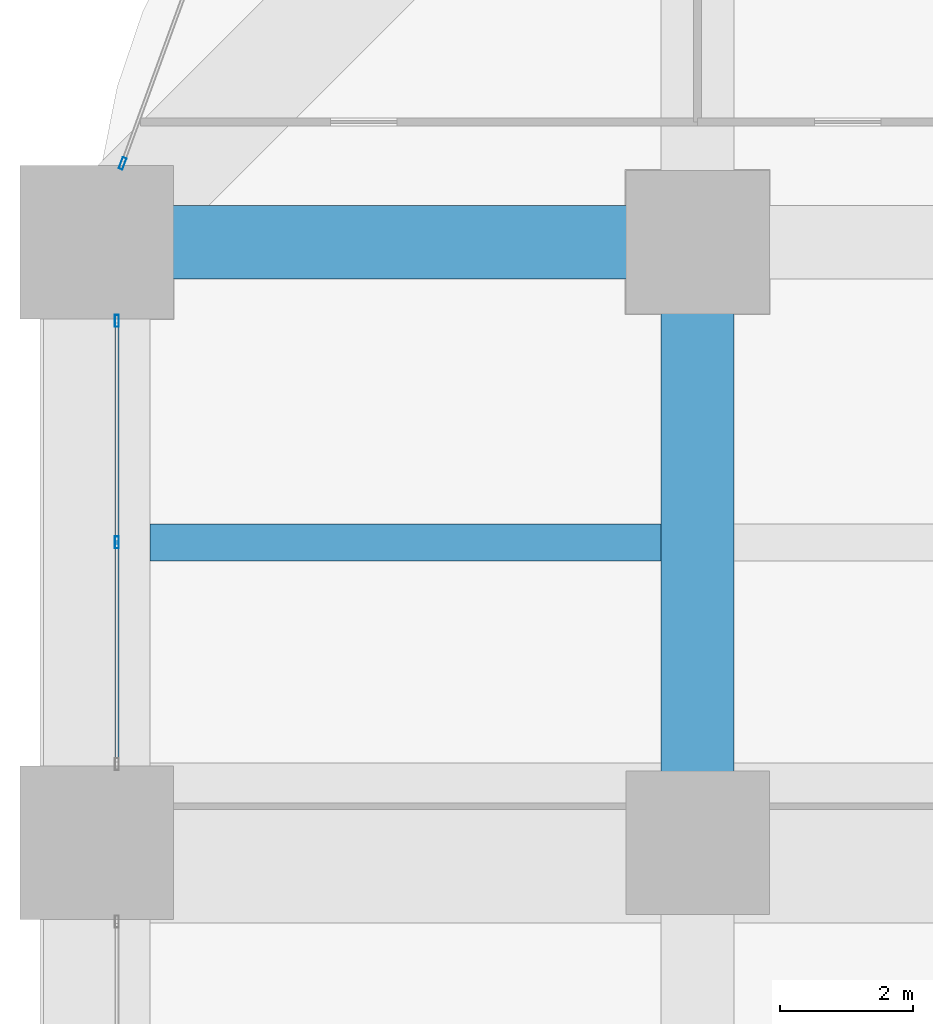
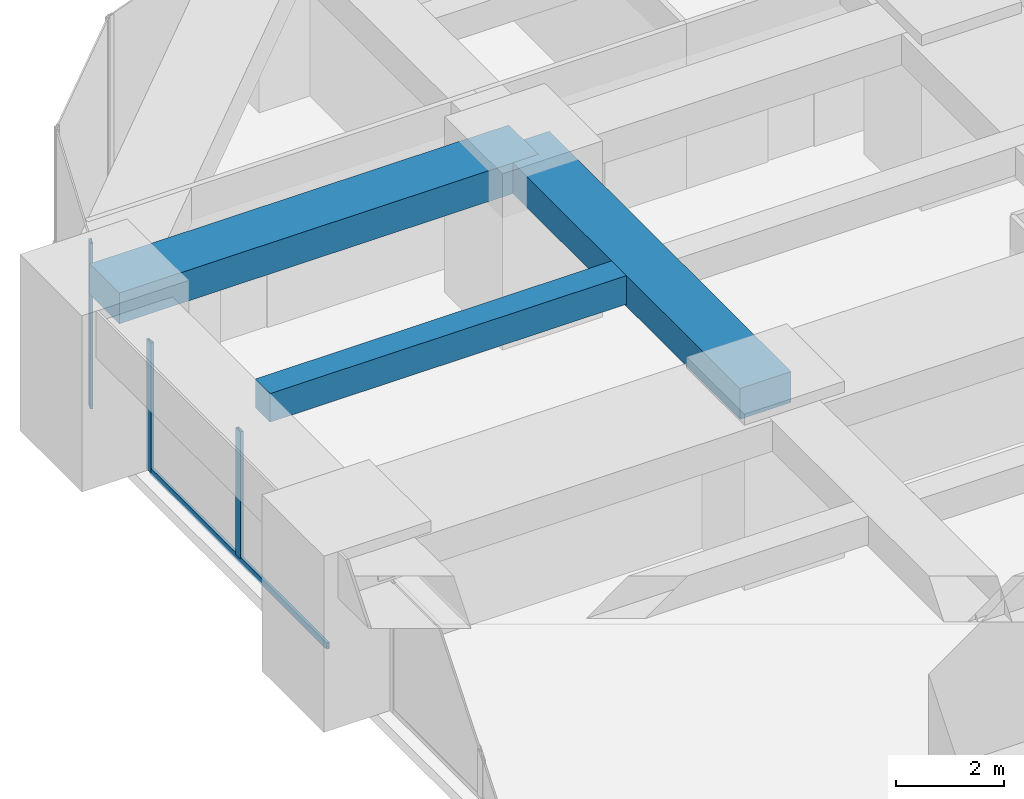
# One storey, part 25 of 43: 4 members, 3 beams, 2 elements without a shape of their own.
"""IFC4 building model written with IfcOpenShell, lengths in metres."""

from ifc_helpers import new_model, si_unit, direction, frame, origin, origin_2d, place, context, subcontext, project, spatial, rectangle, hollow_rectangle, extrude, material, material_profile, profile_set, type_object, element, aggregate, save


model = new_model("IFC4")

# Units and contexts
model_context = context("Model", 3, precision=1e-05, world=origin(), true_north=direction((0.0, 1.0)))
body_context = subcontext(model_context, "Body", "Model", "MODEL_VIEW")
ifc_project = project(units=[si_unit("LENGTHUNIT", "METRE"), si_unit("AREAUNIT", "SQUARE_METRE"), si_unit("VOLUMEUNIT", "CUBIC_METRE"), si_unit("PLANEANGLEUNIT", "RADIAN"), si_unit("MASSUNIT", "GRAM", prefix="KILO")], contexts=[model_context])

# Site, building, storey
site_placement = place(None, origin())
site = spatial("IfcSite", under=ifc_project, at=site_placement, CompositionType="ELEMENT")
building_placement = place(site_placement, origin())
building = spatial("IfcBuilding", under=site, at=building_placement, Name="Zorevar Civic Tower", CompositionType="ELEMENT")
storey_placement = place(building_placement, frame((0.0, 0.0, 67.800048828125)))
storey = spatial("IfcBuildingStorey", under=building, at=storey_placement, Name="L16", CompositionType="ELEMENT", Elevation=67.800048828125)

# Beams
ifc_material_1 = material(Name="Concrete C50/60", Category="concrete")
ifc_material_profile_1 = material_profile(ifc_material_1, rectangle(XDim=1.10009765625, YDim=0.699951171875, at=origin_2d()), Name="RC 1100x700")
ifc_profile_set_1 = profile_set([ifc_material_profile_1], Name="Concrete C50/60")
beam_type_1 = type_object("IfcBeamType", Name="Beam RC 1100x700", PredefinedType="BEAM", material=ifc_profile_set_1)
for number, where, z_axis, x_axis, name in (
    (1, (0.0, 45.0, 3.39990234375), (1.0, 0.0, 0.0), (0.0, 1.0, 0.0), "Girder L17"),
    (2, (9.0, 36.0, 3.39990234375), (0.0, 1.0, 0.0), (-1.0, 0.0, 0.0), "Girder L17"),
):
    element("IfcBeam", number, at=place(storey_placement, frame(where, z_axis=z_axis, x_axis=x_axis)), inside=storey, type_object=beam_type_1, Name=name, PredefinedType="BEAM", context=body_context, shape_type="SweptSolid", body=[
        extrude(rectangle(XDim=1.10009765625, YDim=0.699951171875, at=origin_2d()), origin(), (0.0, 0.0, 1.0), 9.0),
    ])
ifc_material_2 = material(Name="Concrete C50/60", Category="concrete")
ifc_material_profile_2 = material_profile(ifc_material_2, rectangle(XDim=0.550048828125, YDim=0.64990234375, at=origin_2d()), Name="RC 550x650")
ifc_profile_set_2 = profile_set([ifc_material_profile_2], Name="Concrete C50/60")
beam_type_2 = type_object("IfcBeamType", Name="Beam RC 550x650", PredefinedType="BEAM", material=ifc_profile_set_2)
beam_placement = place(storey_placement, frame((0.800048828125, 40.5, 3.425048828125), z_axis=(1.0, 0.0, 0.0), x_axis=(0.0, 1.0, 0.0)))
element("IfcBeam", 3, at=beam_placement, inside=storey, type_object=beam_type_2, Name="Secondary beam L17", PredefinedType="BEAM", context=body_context, shape_type="SweptSolid", body=[
    extrude(rectangle(XDim=0.550048828125, YDim=0.64990234375, at=origin_2d()), origin(), (0.0, 0.0, 1.0), 7.64990234375),
])

# Curtain wall, members
ifc_material_3 = material(Name="Dark grey solar-control glass in black aluminium frame", Category="aluminium")
curtain_wall_type = type_object("IfcCurtainWallType", Name="Curtain wall CW2 low zone", PredefinedType="NOTDEFINED", material=ifc_material_3)
curtain_wall_1_placement = place(storey_placement, origin())
curtain_wall_1 = element("IfcCurtainWall", 4, at=curtain_wall_1_placement, inside=storey, type_object=curtain_wall_type, Name="CW2 L16", PredefinedType="NOTDEFINED")
ifc_material_4 = material(Name="Aluminium, black anodised", Category="aluminium")
ifc_material_profile_3 = material_profile(ifc_material_4, hollow_rectangle(XDim=0.06005859375, YDim=0.179931640625, WallThickness=0.00390625, at=origin_2d()), Name="AL 180x60x4")
ifc_profile_set_3 = profile_set([ifc_material_profile_3], Name="Aluminium, black anodised")
member_type_1 = type_object("IfcMemberType", Name="CW2 mullion AL 180x60x4", PredefinedType="MULLION", material=ifc_profile_set_3)
member_1_placement = place(storey_placement, frame((0.300048828125, 40.5, 0.06005859375), z_axis=(0.0, 0.0, 1.0), x_axis=(-1.0, 0.0, 0.0)))
member_1 = element("IfcMember", 5, at=member_1_placement, type_object=member_type_1, Name="CW2 mullion 2", PredefinedType="MULLION", context=body_context, shape_type="SweptSolid", body=[
    extrude(hollow_rectangle(XDim=0.06005859375, YDim=0.179931640625, WallThickness=0.00390625, at=origin_2d()), origin(), (0.0, 0.0, 1.0), 2.889892578125),
])
member_2_placement = place(storey_placement, frame((0.300048828125, 43.820068359375, 0.0), z_axis=(0.0, 0.0, 1.0), x_axis=(-1.0, 0.0, 0.0)))
member_2 = element("IfcMember", 6, at=member_2_placement, type_object=member_type_1, Name="CW2 mullion 3", PredefinedType="MULLION", context=body_context, shape_type="SweptSolid", body=[
    extrude(hollow_rectangle(XDim=0.06005859375, YDim=0.179931640625, WallThickness=0.00390625, at=origin_2d()), origin(), (0.0, 0.0, 1.0), 2.949951171875),
])

# Curtain wall, member
curtain_wall_2_placement = place(storey_placement, origin())
curtain_wall_2 = element("IfcCurtainWall", 7, at=curtain_wall_2_placement, inside=storey, type_object=curtain_wall_type, Name="CW2 L16", PredefinedType="NOTDEFINED")
member_3_placement = place(storey_placement, frame((0.38671875, 46.17822265625, 0.0), z_axis=(0.0, 0.0, 1.0), x_axis=(0.939313345732, -0.343060400701, 0.0)))
member_3 = element("IfcMember", 8, at=member_3_placement, type_object=member_type_1, Name="CW2 mullion 2", PredefinedType="MULLION", context=body_context, shape_type="SweptSolid", body=[
    extrude(hollow_rectangle(XDim=0.06005859375, YDim=0.179931640625, WallThickness=0.00390625, at=origin_2d()), origin(), (0.0, 0.0, 1.0), 3.75),
])
aggregate(curtain_wall_2, [member_3])

# Member
ifc_material_5 = material(Name="Aluminium, black anodised", Category="aluminium")
ifc_material_profile_4 = material_profile(ifc_material_5, hollow_rectangle(XDim=0.06005859375, YDim=0.14990234375, WallThickness=0.00390625, at=origin_2d()), Name="AL 150x60x4")
ifc_profile_set_4 = profile_set([ifc_material_profile_4], Name="Aluminium, black anodised")
member_type_2 = type_object("IfcMemberType", Name="CW2 transom AL 150x60x4", PredefinedType="USERDEFINED", material=ifc_profile_set_4)
member_4_placement = place(storey_placement, frame((0.300048828125, 37.2099609375, 0.030029296875), z_axis=(0.0, 1.0, 0.0), x_axis=(-1.0, 0.0, 0.0)))
member_4 = element("IfcMember", 9, at=member_4_placement, type_object=member_type_2, Name="CW2 sill transom", ObjectType="TRANSOM", PredefinedType="USERDEFINED", context=body_context, shape_type="SweptSolid", body=[
    extrude(hollow_rectangle(XDim=0.06005859375, YDim=0.14990234375, WallThickness=0.00390625, at=origin_2d()), origin(), (0.0, 0.0, 1.0), 6.580078125),
])

aggregate(curtain_wall_1, [member_1, member_2, member_4])

save(model, "model.ifc")
